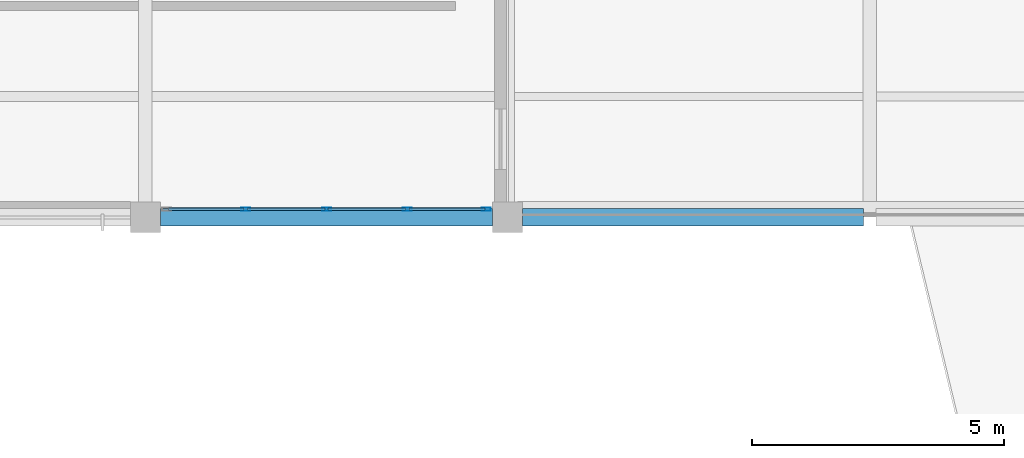
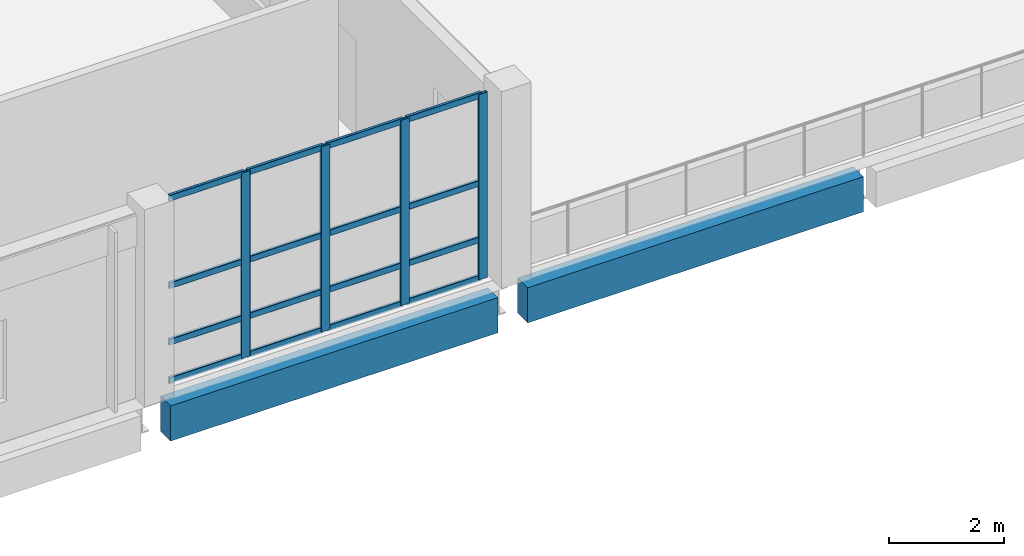
# One storey, part 49 of 94: 20 members, 2 beams, 1 element without a shape of its own.
"""IFC4 building model written with IfcOpenShell, lengths in metres."""

from ifc_helpers import new_model, si_unit, direction, frame, origin, origin_2d, place, context, subcontext, project, spatial, rectangle, hollow_rectangle, extrude, material, material_profile, profile_set, type_object, element, aggregate, save


model = new_model("IFC4")

# Units and contexts
model_context = context("Model", 3, precision=1e-05, world=origin(), true_north=direction((0.0, 1.0)))
body_context = subcontext(model_context, "Body", "Model", "MODEL_VIEW")
ifc_project = project(units=[si_unit("LENGTHUNIT", "METRE"), si_unit("AREAUNIT", "SQUARE_METRE"), si_unit("VOLUMEUNIT", "CUBIC_METRE"), si_unit("PLANEANGLEUNIT", "RADIAN"), si_unit("MASSUNIT", "GRAM", prefix="KILO")], contexts=[model_context])

# Site, building, storey
site_placement = place(None, origin())
site = spatial("IfcSite", under=ifc_project, at=site_placement, CompositionType="ELEMENT")
building_placement = place(site_placement, origin())
building = spatial("IfcBuilding", under=site, at=building_placement, Name="Kalmorath City Hall", CompositionType="ELEMENT")
storey_placement = place(building_placement, frame((0.0, 0.0, 14.699951171875)))
storey = spatial("IfcBuildingStorey", under=building, at=storey_placement, Name="L03", CompositionType="ELEMENT", Elevation=14.699951171875)

# Curtain wall, members
ifc_material_1 = material(Name="Anodised aluminium and laminated glass", Category="aluminium")
curtain_wall_type = type_object("IfcCurtainWallType", Name="Unitised hurricane curtain wall 6420x3950 M1750", PredefinedType="NOTDEFINED", material=ifc_material_1)
curtain_wall_placement = place(storey_placement, origin())
curtain_wall = element("IfcCurtainWall", 1, at=curtain_wall_placement, inside=storey, type_object=curtain_wall_type, Name="L03 curtain wall CW-64X40M18 #145", PredefinedType="NOTDEFINED")
ifc_material_2 = material(Name="Anodised aluminium framing", Category="aluminium")
ifc_material_profile_1 = material_profile(ifc_material_2, hollow_rectangle(XDim=0.06494140625, YDim=0.179931640625, WallThickness=0.00390625, InnerFilletRadius=0.00390625, OuterFilletRadius=0.008056640625, at=origin_2d()), Name="ALU-MUL-180X65X4")
ifc_profile_set_1 = profile_set([ifc_material_profile_1], Name="Anodised aluminium framing")
member_type_1 = type_object("IfcMemberType", Name="Curtain-wall courtyard mullion 180x65", PredefinedType="MULLION", material=ifc_profile_set_1)
member_1_placement = place(storey_placement, frame((114.777587890625, 93.760009765625, 0.0), z_axis=(0.0, 0.0, 1.0), x_axis=(0.0, -1.0, 0.0)))
member_1 = element("IfcMember", 2, at=member_1_placement, type_object=member_type_1, Name="CW-64X40M18 mullion 1", PredefinedType="MULLION", context=body_context, shape_type="SweptSolid", body=[
    extrude(hollow_rectangle(XDim=0.06494140625, YDim=0.179931640625, WallThickness=0.00390625, InnerFilletRadius=0.00390625, OuterFilletRadius=0.008056640625, at=origin_2d()), origin(), (0.0, 0.0, 1.0), 3.949951171875),
])
member_2_placement = place(storey_placement, frame((113.205078125, 93.760009765625, 0.0), z_axis=(0.0, 0.0, 1.0), x_axis=(0.0, -1.0, 0.0)))
member_2 = element("IfcMember", 3, at=member_2_placement, type_object=member_type_1, Name="CW-64X40M18 mullion 2", PredefinedType="MULLION", context=body_context, shape_type="SweptSolid", body=[
    extrude(hollow_rectangle(XDim=0.06494140625, YDim=0.179931640625, WallThickness=0.00390625, InnerFilletRadius=0.00390625, OuterFilletRadius=0.008056640625, at=origin_2d()), origin(), (0.0, 0.0, 1.0), 3.949951171875),
])
member_3_placement = place(storey_placement, frame((111.60009765625, 93.760009765625, 0.0), z_axis=(0.0, 0.0, 1.0), x_axis=(0.0, -1.0, 0.0)))
member_3 = element("IfcMember", 4, at=member_3_placement, type_object=member_type_1, Name="CW-64X40M18 mullion 3", PredefinedType="MULLION", context=body_context, shape_type="SweptSolid", body=[
    extrude(hollow_rectangle(XDim=0.06494140625, YDim=0.179931640625, WallThickness=0.00390625, InnerFilletRadius=0.00390625, OuterFilletRadius=0.008056640625, at=origin_2d()), origin(), (0.0, 0.0, 1.0), 3.949951171875),
])
member_4_placement = place(storey_placement, frame((109.9951171875, 93.760009765625, 0.0), z_axis=(0.0, 0.0, 1.0), x_axis=(0.0, -1.0, 0.0)))
member_4 = element("IfcMember", 5, at=member_4_placement, type_object=member_type_1, Name="CW-64X40M18 mullion 4", PredefinedType="MULLION", context=body_context, shape_type="SweptSolid", body=[
    extrude(hollow_rectangle(XDim=0.06494140625, YDim=0.179931640625, WallThickness=0.00390625, InnerFilletRadius=0.00390625, OuterFilletRadius=0.008056640625, at=origin_2d()), origin(), (0.0, 0.0, 1.0), 3.949951171875),
])
ifc_material_3 = material(Name="Anodised aluminium framing", Category="aluminium")
ifc_material_profile_2 = material_profile(ifc_material_3, hollow_rectangle(XDim=0.06005859375, YDim=0.1298828125, WallThickness=0.00341796875, InnerFilletRadius=0.00341796875, OuterFilletRadius=0.007080078125, at=origin_2d()), Name="ALU-TRN-130X60X3.5")
ifc_profile_set_2 = profile_set([ifc_material_profile_2], Name="Anodised aluminium framing")
member_type_2 = type_object("IfcMemberType", Name="Curtain-wall courtyard transom 130x60", PredefinedType="USERDEFINED", material=ifc_profile_set_2)
member_5_placement = place(storey_placement, frame((114.7451171875, 93.760009765625, 0.030029296875), z_axis=(-1.0, 0.0, 0.0), x_axis=(0.0, -1.0, 0.0)))
member_5 = element("IfcMember", 6, at=member_5_placement, type_object=member_type_2, Name="CW-64X40M18 transom 1.1", ObjectType="TRANSOM", PredefinedType="USERDEFINED", context=body_context, shape_type="SweptSolid", body=[
    extrude(hollow_rectangle(XDim=0.06005859375, YDim=0.1298828125, WallThickness=0.00341796875, InnerFilletRadius=0.00341796875, OuterFilletRadius=0.007080078125, at=origin_2d()), origin(), (0.0, 0.0, 1.0), 1.507568359375),
])
member_6_placement = place(storey_placement, frame((114.7451171875, 93.760009765625, 0.85009765625), z_axis=(-1.0, 0.0, 0.0), x_axis=(0.0, -1.0, 0.0)))
member_6 = element("IfcMember", 7, at=member_6_placement, type_object=member_type_2, Name="CW-64X40M18 transom 1.2", ObjectType="TRANSOM", PredefinedType="USERDEFINED", context=body_context, shape_type="SweptSolid", body=[
    extrude(hollow_rectangle(XDim=0.06005859375, YDim=0.1298828125, WallThickness=0.00341796875, InnerFilletRadius=0.00341796875, OuterFilletRadius=0.007080078125, at=origin_2d()), origin(), (0.0, 0.0, 1.0), 1.507568359375),
])
member_7_placement = place(storey_placement, frame((114.7451171875, 93.760009765625, 2.053955078125), z_axis=(-1.0, 0.0, 0.0), x_axis=(0.0, -1.0, 0.0)))
member_7 = element("IfcMember", 8, at=member_7_placement, type_object=member_type_2, Name="CW-64X40M18 transom 1.3", ObjectType="TRANSOM", PredefinedType="USERDEFINED", context=body_context, shape_type="SweptSolid", body=[
    extrude(hollow_rectangle(XDim=0.06005859375, YDim=0.1298828125, WallThickness=0.00341796875, InnerFilletRadius=0.00341796875, OuterFilletRadius=0.007080078125, at=origin_2d()), origin(), (0.0, 0.0, 1.0), 1.507568359375),
])
member_8_placement = place(storey_placement, frame((114.7451171875, 93.760009765625, 3.920166015625), z_axis=(-1.0, 0.0, 0.0), x_axis=(0.0, -1.0, 0.0)))
member_8 = element("IfcMember", 9, at=member_8_placement, type_object=member_type_2, Name="CW-64X40M18 transom 1.4", ObjectType="TRANSOM", PredefinedType="USERDEFINED", context=body_context, shape_type="SweptSolid", body=[
    extrude(hollow_rectangle(XDim=0.06005859375, YDim=0.1298828125, WallThickness=0.00341796875, InnerFilletRadius=0.00341796875, OuterFilletRadius=0.007080078125, at=origin_2d()), origin(), (0.0, 0.0, 1.0), 1.507568359375),
])
member_9_placement = place(storey_placement, frame((113.172607421875, 93.760009765625, 0.030029296875), z_axis=(-1.0, 0.0, 0.0), x_axis=(0.0, -1.0, 0.0)))
member_9 = element("IfcMember", 10, at=member_9_placement, type_object=member_type_2, Name="CW-64X40M18 transom 2.1", ObjectType="TRANSOM", PredefinedType="USERDEFINED", context=body_context, shape_type="SweptSolid", body=[
    extrude(hollow_rectangle(XDim=0.06005859375, YDim=0.1298828125, WallThickness=0.00341796875, InnerFilletRadius=0.00341796875, OuterFilletRadius=0.007080078125, at=origin_2d()), origin(), (0.0, 0.0, 1.0), 1.5400390625),
])
member_10_placement = place(storey_placement, frame((113.172607421875, 93.760009765625, 0.85009765625), z_axis=(-1.0, 0.0, 0.0), x_axis=(0.0, -1.0, 0.0)))
member_10 = element("IfcMember", 11, at=member_10_placement, type_object=member_type_2, Name="CW-64X40M18 transom 2.2", ObjectType="TRANSOM", PredefinedType="USERDEFINED", context=body_context, shape_type="SweptSolid", body=[
    extrude(hollow_rectangle(XDim=0.06005859375, YDim=0.1298828125, WallThickness=0.00341796875, InnerFilletRadius=0.00341796875, OuterFilletRadius=0.007080078125, at=origin_2d()), origin(), (0.0, 0.0, 1.0), 1.5400390625),
])
member_11_placement = place(storey_placement, frame((113.172607421875, 93.760009765625, 2.053955078125), z_axis=(-1.0, 0.0, 0.0), x_axis=(0.0, -1.0, 0.0)))
member_11 = element("IfcMember", 12, at=member_11_placement, type_object=member_type_2, Name="CW-64X40M18 transom 2.3", ObjectType="TRANSOM", PredefinedType="USERDEFINED", context=body_context, shape_type="SweptSolid", body=[
    extrude(hollow_rectangle(XDim=0.06005859375, YDim=0.1298828125, WallThickness=0.00341796875, InnerFilletRadius=0.00341796875, OuterFilletRadius=0.007080078125, at=origin_2d()), origin(), (0.0, 0.0, 1.0), 1.5400390625),
])
member_12_placement = place(storey_placement, frame((113.172607421875, 93.760009765625, 3.920166015625), z_axis=(-1.0, 0.0, 0.0), x_axis=(0.0, -1.0, 0.0)))
member_12 = element("IfcMember", 13, at=member_12_placement, type_object=member_type_2, Name="CW-64X40M18 transom 2.4", ObjectType="TRANSOM", PredefinedType="USERDEFINED", context=body_context, shape_type="SweptSolid", body=[
    extrude(hollow_rectangle(XDim=0.06005859375, YDim=0.1298828125, WallThickness=0.00341796875, InnerFilletRadius=0.00341796875, OuterFilletRadius=0.007080078125, at=origin_2d()), origin(), (0.0, 0.0, 1.0), 1.5400390625),
])
member_13_placement = place(storey_placement, frame((111.5673828125, 93.760009765625, 0.030029296875), z_axis=(-1.0, 0.0, 0.0), x_axis=(0.0, -1.0, 0.0)))
member_13 = element("IfcMember", 14, at=member_13_placement, type_object=member_type_2, Name="CW-64X40M18 transom 3.1", ObjectType="TRANSOM", PredefinedType="USERDEFINED", context=body_context, shape_type="SweptSolid", body=[
    extrude(hollow_rectangle(XDim=0.06005859375, YDim=0.1298828125, WallThickness=0.00341796875, InnerFilletRadius=0.00341796875, OuterFilletRadius=0.007080078125, at=origin_2d()), origin(), (0.0, 0.0, 1.0), 1.539794921875),
])
member_14_placement = place(storey_placement, frame((111.5673828125, 93.760009765625, 0.85009765625), z_axis=(-1.0, 0.0, 0.0), x_axis=(0.0, -1.0, 0.0)))
member_14 = element("IfcMember", 15, at=member_14_placement, type_object=member_type_2, Name="CW-64X40M18 transom 3.2", ObjectType="TRANSOM", PredefinedType="USERDEFINED", context=body_context, shape_type="SweptSolid", body=[
    extrude(hollow_rectangle(XDim=0.06005859375, YDim=0.1298828125, WallThickness=0.00341796875, InnerFilletRadius=0.00341796875, OuterFilletRadius=0.007080078125, at=origin_2d()), origin(), (0.0, 0.0, 1.0), 1.539794921875),
])
member_15_placement = place(storey_placement, frame((111.5673828125, 93.760009765625, 2.053955078125), z_axis=(-1.0, 0.0, 0.0), x_axis=(0.0, -1.0, 0.0)))
member_15 = element("IfcMember", 16, at=member_15_placement, type_object=member_type_2, Name="CW-64X40M18 transom 3.3", ObjectType="TRANSOM", PredefinedType="USERDEFINED", context=body_context, shape_type="SweptSolid", body=[
    extrude(hollow_rectangle(XDim=0.06005859375, YDim=0.1298828125, WallThickness=0.00341796875, InnerFilletRadius=0.00341796875, OuterFilletRadius=0.007080078125, at=origin_2d()), origin(), (0.0, 0.0, 1.0), 1.539794921875),
])
member_16_placement = place(storey_placement, frame((111.5673828125, 93.760009765625, 3.920166015625), z_axis=(-1.0, 0.0, 0.0), x_axis=(0.0, -1.0, 0.0)))
member_16 = element("IfcMember", 17, at=member_16_placement, type_object=member_type_2, Name="CW-64X40M18 transom 3.4", ObjectType="TRANSOM", PredefinedType="USERDEFINED", context=body_context, shape_type="SweptSolid", body=[
    extrude(hollow_rectangle(XDim=0.06005859375, YDim=0.1298828125, WallThickness=0.00341796875, InnerFilletRadius=0.00341796875, OuterFilletRadius=0.007080078125, at=origin_2d()), origin(), (0.0, 0.0, 1.0), 1.539794921875),
])
member_17_placement = place(storey_placement, frame((109.96240234375, 93.760009765625, 0.030029296875), z_axis=(-1.0, 0.0, 0.0), x_axis=(0.0, -1.0, 0.0)))
member_17 = element("IfcMember", 18, at=member_17_placement, type_object=member_type_2, Name="CW-64X40M18 transom 4.1", ObjectType="TRANSOM", PredefinedType="USERDEFINED", context=body_context, shape_type="SweptSolid", body=[
    extrude(hollow_rectangle(XDim=0.06005859375, YDim=0.1298828125, WallThickness=0.00341796875, InnerFilletRadius=0.00341796875, OuterFilletRadius=0.007080078125, at=origin_2d()), origin(), (0.0, 0.0, 1.0), 1.50732421875),
])
member_18_placement = place(storey_placement, frame((109.96240234375, 93.760009765625, 0.85009765625), z_axis=(-1.0, 0.0, 0.0), x_axis=(0.0, -1.0, 0.0)))
member_18 = element("IfcMember", 19, at=member_18_placement, type_object=member_type_2, Name="CW-64X40M18 transom 4.2", ObjectType="TRANSOM", PredefinedType="USERDEFINED", context=body_context, shape_type="SweptSolid", body=[
    extrude(hollow_rectangle(XDim=0.06005859375, YDim=0.1298828125, WallThickness=0.00341796875, InnerFilletRadius=0.00341796875, OuterFilletRadius=0.007080078125, at=origin_2d()), origin(), (0.0, 0.0, 1.0), 1.50732421875),
])
member_19_placement = place(storey_placement, frame((109.96240234375, 93.760009765625, 2.053955078125), z_axis=(-1.0, 0.0, 0.0), x_axis=(0.0, -1.0, 0.0)))
member_19 = element("IfcMember", 20, at=member_19_placement, type_object=member_type_2, Name="CW-64X40M18 transom 4.3", ObjectType="TRANSOM", PredefinedType="USERDEFINED", context=body_context, shape_type="SweptSolid", body=[
    extrude(hollow_rectangle(XDim=0.06005859375, YDim=0.1298828125, WallThickness=0.00341796875, InnerFilletRadius=0.00341796875, OuterFilletRadius=0.007080078125, at=origin_2d()), origin(), (0.0, 0.0, 1.0), 1.50732421875),
])
member_20_placement = place(storey_placement, frame((109.96240234375, 93.760009765625, 3.920166015625), z_axis=(-1.0, 0.0, 0.0), x_axis=(0.0, -1.0, 0.0)))
member_20 = element("IfcMember", 21, at=member_20_placement, type_object=member_type_2, Name="CW-64X40M18 transom 4.4", ObjectType="TRANSOM", PredefinedType="USERDEFINED", context=body_context, shape_type="SweptSolid", body=[
    extrude(hollow_rectangle(XDim=0.06005859375, YDim=0.1298828125, WallThickness=0.00341796875, InnerFilletRadius=0.00341796875, OuterFilletRadius=0.007080078125, at=origin_2d()), origin(), (0.0, 0.0, 1.0), 1.50732421875),
])
aggregate(curtain_wall, [member_1, member_2, member_3, member_4, member_5, member_6, member_7, member_8, member_9, member_10, member_11, member_12, member_13, member_14, member_15, member_16, member_17, member_18, member_19, member_20])

# Beams
ifc_material_4 = material(Name="Precast concrete C40/50", Category="concrete")
ifc_material_profile_3 = material_profile(ifc_material_4, rectangle(XDim=0.35009765625, YDim=0.75, at=origin_2d()), Name="PC-SP-350X750")
ifc_profile_set_3 = profile_set([ifc_material_profile_3], Name="Precast concrete C40/50")
beam_type = type_object("IfcBeamType", Name="Precast spandrel lintel 350x750", PredefinedType="LINTEL", material=ifc_profile_set_3)
beam_1_placement = place(storey_placement, frame((108.300048828125, 93.60009765625, -0.638916015625), z_axis=(1.0, 0.0, 0.0), x_axis=(0.0, 1.0, 0.0)))
element("IfcBeam", 22, at=beam_1_placement, inside=storey, type_object=beam_type, Name="L03 girder PSB1 X16-17/14", PredefinedType="LINTEL", context=body_context, shape_type="SweptSolid", body=[
    extrude(rectangle(XDim=0.35009765625, YDim=0.75, at=origin_2d()), origin(), (0.0, 0.0, 1.0), 6.599853515625),
])
beam_2_placement = place(storey_placement, frame((115.5, 93.60009765625, -0.638916015625), z_axis=(1.0, 0.0, 0.0), x_axis=(0.0, 1.0, 0.0)))
element("IfcBeam", 23, at=beam_2_placement, inside=storey, type_object=beam_type, Name="L03 girder PSB1 X17-18/14", PredefinedType="LINTEL", context=body_context, shape_type="SweptSolid", body=[
    extrude(rectangle(XDim=0.35009765625, YDim=0.75, at=origin_2d()), origin(), (0.0, 0.0, 1.0), 6.77294921875),
])

save(model, "model.ifc")
